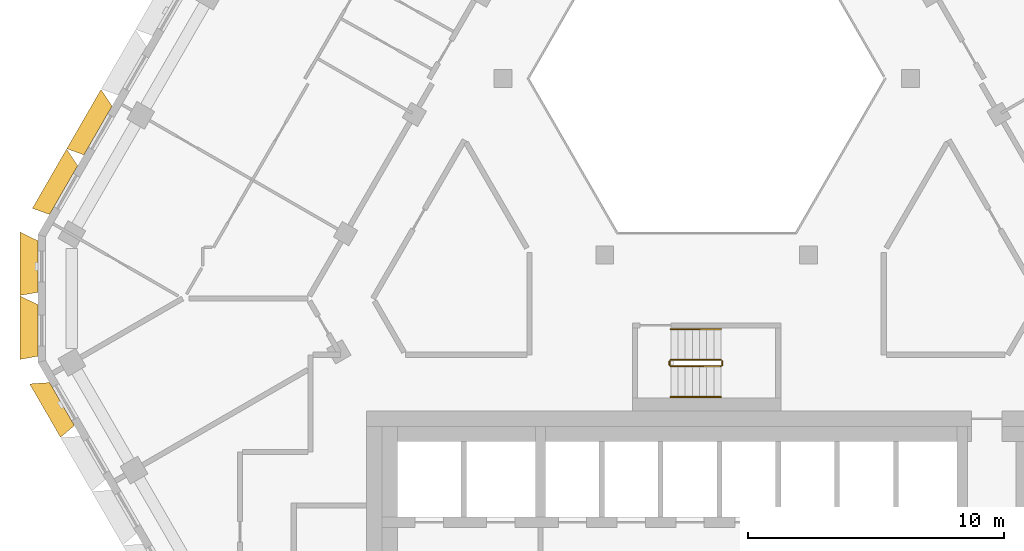
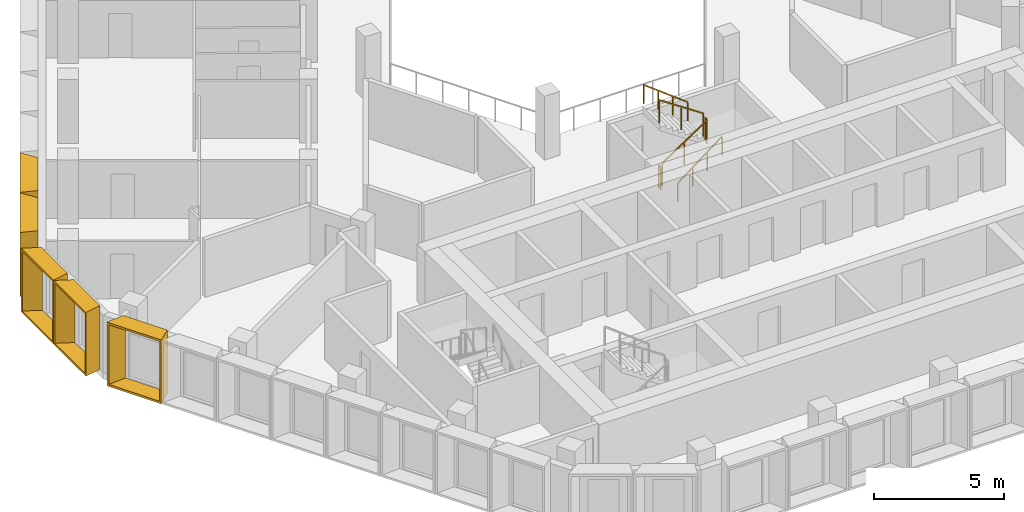
# One storey, part 14 of 17: 6 railings, 5 shading devices.
"""IFC4 building model written with IfcOpenShell, lengths in metres."""

from ifc_helpers import new_model, entity, si_unit, direction, frame, origin, origin_2d, place, context, subcontext, project, spatial, rectangle, extrude, source, transform, mapped, material, type_object, type_shapes, element, save


model = new_model("IFC4")

# Units and contexts
model_context = context("Model", 3, precision=1e-05, world=origin(), true_north=direction((0.0, 1.0)))
body_context = subcontext(model_context, "Body", "Model", "MODEL_VIEW")
ifc_project = project(units=[si_unit("LENGTHUNIT", "METRE"), si_unit("AREAUNIT", "SQUARE_METRE"), si_unit("VOLUMEUNIT", "CUBIC_METRE"), si_unit("PLANEANGLEUNIT", "RADIAN"), si_unit("MASSUNIT", "GRAM", prefix="KILO")], contexts=[model_context])

# Site, building, storey
site_placement = place(None, origin())
site = spatial("IfcSite", under=ifc_project, at=site_placement, CompositionType="ELEMENT")
building_placement = place(site_placement, origin())
building = spatial("IfcBuilding", under=site, at=building_placement, Name="Beryl Residences", CompositionType="ELEMENT")
storey_placement = place(building_placement, frame((0.0, 0.0, 178.199951171875)))
storey = spatial("IfcBuildingStorey", under=building, at=storey_placement, Name="L54", CompositionType="ELEMENT", Elevation=178.199951171875)

# Shading devices
ifc_material_1 = material(Name="Aluminium pale anodised", Category="aluminium")
shading_device_type_1 = type_object("IfcShadingDeviceType", Name="FR243-70B OUTER SKIN frame 700 mm deep, splay 26/10 deg, 2430 x 3000 mm cell", PredefinedType="USERDEFINED", material=ifc_material_1)
cartesian_point_1 = entity("IfcCartesianPoint", [-0.972412109375, 0.0])
cartesian_point_2 = entity("IfcCartesianPoint", [-0.883544921875, 0.10009765625])
cartesian_point_3 = entity("IfcCartesianPoint", [-1.31396484375, 0.0])
cartesian_point_4 = entity("IfcCartesianPoint", [-1.224853515625, 0.10009765625])
shared_shape_1 = source(origin(), body_context, "Body", "SweptSolid", [
    entity("IfcExtrudedAreaSolidTapered", entity("IfcArbitraryProfileDefWithVoids", "AREA", None, entity("IfcPolyline", [cartesian_point_1, entity("IfcCartesianPoint", [0.972412109375, 0.0]), entity("IfcCartesianPoint", [0.972412109375, 3.0]), entity("IfcCartesianPoint", [-0.972412109375, 3.0]), cartesian_point_1]), [entity("IfcPolyline", [cartesian_point_2, entity("IfcCartesianPoint", [0.891357421875, 0.10009765625]), entity("IfcCartesianPoint", [0.891357421875, 2.89990234375]), entity("IfcCartesianPoint", [-0.883544921875, 2.89990234375]), cartesian_point_2])]), entity("IfcAxis2Placement3D", entity("IfcCartesianPoint", [0.0, 0.0, 0.0]), entity("IfcDirection", [0.0, 1.0, 0.0]), entity("IfcDirection", [-1.0, 0.0, 0.0])), entity("IfcDirection", [0.0, 0.0, 1.0]), 0.699951171875, entity("IfcArbitraryProfileDefWithVoids", "AREA", None, entity("IfcPolyline", [cartesian_point_3, entity("IfcCartesianPoint", [1.095947265625, 0.0]), entity("IfcCartesianPoint", [1.095947265625, 3.0]), entity("IfcCartesianPoint", [-1.31396484375, 3.0]), cartesian_point_3]), [entity("IfcPolyline", [cartesian_point_4, entity("IfcCartesianPoint", [1.0146484375, 0.10009765625]), entity("IfcCartesianPoint", [1.0146484375, 2.89990234375]), entity("IfcCartesianPoint", [-1.224853515625, 2.89990234375]), cartesian_point_4])])),
])
type_shapes(shading_device_type_1, [shared_shape_1])
shading_device_placement = place(storey_placement, frame((-25.212890625, -4.72802734375, 0.0), z_axis=(0.0, 0.0, 1.0), x_axis=(-0.5, 0.866025403784, 0.0)))
element("IfcShadingDevice", 1, at=shading_device_placement, inside=storey, type_object=shading_device_type_1, Name="FR243-70B frame L54 SW 1", ObjectType="OUTER SKIN", PredefinedType="USERDEFINED", context=body_context, shape_type="MappedRepresentation", body=[
    mapped(shared_shape_1, transform((0.0, 0.0, 0.0))),
])
ifc_material_2 = material(Name="Aluminium pale anodised", Category="aluminium")
shading_device_type_2 = type_object("IfcShadingDeviceType", Name="FR250-70B OUTER SKIN frame 700 mm deep, splay 26/10 deg, 2500 x 3000 mm cell", PredefinedType="USERDEFINED", material=ifc_material_2)
cartesian_point_5 = entity("IfcCartesianPoint", [-1.007568359375, 0.0])
cartesian_point_6 = entity("IfcCartesianPoint", [-0.91845703125, 0.10009765625])
cartesian_point_7 = entity("IfcCartesianPoint", [-1.348876953125, 0.0])
cartesian_point_8 = entity("IfcCartesianPoint", [-1.260009765625, 0.10009765625])
shared_shape_2 = source(origin(), body_context, "Body", "SweptSolid", [
    entity("IfcExtrudedAreaSolidTapered", entity("IfcArbitraryProfileDefWithVoids", "AREA", None, entity("IfcPolyline", [cartesian_point_5, entity("IfcCartesianPoint", [1.007568359375, 0.0]), entity("IfcCartesianPoint", [1.007568359375, 3.0]), entity("IfcCartesianPoint", [-1.007568359375, 3.0]), cartesian_point_5]), [entity("IfcPolyline", [cartesian_point_6, entity("IfcCartesianPoint", [0.92626953125, 0.10009765625]), entity("IfcCartesianPoint", [0.92626953125, 2.89990234375]), entity("IfcCartesianPoint", [-0.91845703125, 2.89990234375]), cartesian_point_6])]), entity("IfcAxis2Placement3D", entity("IfcCartesianPoint", [0.0, 0.0, 0.0]), entity("IfcDirection", [0.0, 1.0, 0.0]), entity("IfcDirection", [-1.0, 0.0, 0.0])), entity("IfcDirection", [0.0, 0.0, 1.0]), 0.699951171875, entity("IfcArbitraryProfileDefWithVoids", "AREA", None, entity("IfcPolyline", [cartesian_point_7, entity("IfcCartesianPoint", [1.130859375, 0.0]), entity("IfcCartesianPoint", [1.130859375, 3.0]), entity("IfcCartesianPoint", [-1.348876953125, 3.0]), cartesian_point_7]), [entity("IfcPolyline", [cartesian_point_8, entity("IfcCartesianPoint", [1.0498046875, 0.10009765625]), entity("IfcCartesianPoint", [1.0498046875, 2.89990234375]), entity("IfcCartesianPoint", [-1.260009765625, 2.89990234375]), cartesian_point_8])])),
])
type_shapes(shading_device_type_2, [shared_shape_2])
for number, where, z_axis, x_axis, name in (
    (2, (-26.154052734375, 0.64990234375, 0.0), (0.0, 0.0, 1.0), (0.0, 1.0, 0.0), "FR250-70B frame L54 NW-SW 1"),
    (3, (-26.154052734375, -1.85009765625, 0.0), (0.0, 0.0, 1.0), (0.0, 1.0, 0.0), "FR250-70B frame L54 NW-SW 2"),
):
    element("IfcShadingDevice", number, at=place(storey_placement, frame(where, z_axis=z_axis, x_axis=x_axis)), inside=storey, type_object=shading_device_type_2, Name=name, ObjectType="OUTER SKIN", PredefinedType="USERDEFINED", context=body_context, shape_type="MappedRepresentation", body=[
        mapped(shared_shape_2, transform((0.0, 0.0, 0.0))),
    ])
ifc_material_3 = material(Name="Aluminium pale anodised", Category="aluminium")
shading_device_type_3 = type_object("IfcShadingDeviceType", Name="FR269-70B OUTER SKIN frame 700 mm deep, splay 26/10 deg, 2690 x 3000 mm cell", PredefinedType="USERDEFINED", material=ifc_material_3)
cartesian_point_9 = entity("IfcCartesianPoint", [-1.1025390625, 0.0])
cartesian_point_10 = entity("IfcCartesianPoint", [-1.013427734375, 0.10009765625])
cartesian_point_11 = entity("IfcCartesianPoint", [-1.44384765625, 0.0])
cartesian_point_12 = entity("IfcCartesianPoint", [-1.35498046875, 0.10009765625])
shared_shape_3 = source(origin(), body_context, "Body", "SweptSolid", [
    entity("IfcExtrudedAreaSolidTapered", entity("IfcArbitraryProfileDefWithVoids", "AREA", None, entity("IfcPolyline", [cartesian_point_9, entity("IfcCartesianPoint", [1.1025390625, 0.0]), entity("IfcCartesianPoint", [1.1025390625, 3.0]), entity("IfcCartesianPoint", [-1.1025390625, 3.0]), cartesian_point_9]), [entity("IfcPolyline", [cartesian_point_10, entity("IfcCartesianPoint", [1.021240234375, 0.10009765625]), entity("IfcCartesianPoint", [1.021240234375, 2.89990234375]), entity("IfcCartesianPoint", [-1.013427734375, 2.89990234375]), cartesian_point_10])]), entity("IfcAxis2Placement3D", entity("IfcCartesianPoint", [0.0, 0.0, 0.0]), entity("IfcDirection", [0.0, 1.0, 0.0]), entity("IfcDirection", [-1.0, 0.0, 0.0])), entity("IfcDirection", [0.0, 0.0, 1.0]), 0.699951171875, entity("IfcArbitraryProfileDefWithVoids", "AREA", None, entity("IfcPolyline", [cartesian_point_11, entity("IfcCartesianPoint", [1.225830078125, 0.0]), entity("IfcCartesianPoint", [1.225830078125, 3.0]), entity("IfcCartesianPoint", [-1.44384765625, 3.0]), cartesian_point_11]), [entity("IfcPolyline", [cartesian_point_12, entity("IfcCartesianPoint", [1.144775390625, 0.10009765625]), entity("IfcCartesianPoint", [1.144775390625, 2.89990234375]), entity("IfcCartesianPoint", [-1.35498046875, 2.89990234375]), cartesian_point_12])])),
])
type_shapes(shading_device_type_3, [shared_shape_3])
for number, where, z_axis, x_axis, name in (
    (4, (-23.802978515625, 5.971923828125, 0.0), (0.0, 0.0, 1.0), (0.5, 0.866025403784, 0.0), "FR269-70B frame L54 NW 7"),
    (5, (-25.14892578125, 3.639892578125, 0.0), (0.0, 0.0, 1.0), (0.5, 0.866025403784, 0.0), "FR269-70B frame L54 NW 8"),
):
    element("IfcShadingDevice", number, at=place(storey_placement, frame(where, z_axis=z_axis, x_axis=x_axis)), inside=storey, type_object=shading_device_type_3, Name=name, ObjectType="OUTER SKIN", PredefinedType="USERDEFINED", context=body_context, shape_type="MappedRepresentation", body=[
        mapped(shared_shape_3, transform((0.0, 0.0, 0.0))),
    ])

# Railings
ifc_material_4 = material(Name="Stainless steel balustrade with glass infill", Category="steel")
railing_type_1 = type_object("IfcRailingType", Name="SG1 stair guard 1100 mm", PredefinedType="GUARDRAIL", material=ifc_material_4)
railing_1_placement = place(storey_placement, frame((-1.39990234375, -3.25, 0.1875)))
element("IfcRailing", 6, at=railing_1_placement, inside=storey, type_object=railing_type_1, Name="L54 ST-4 stair guard 1", PredefinedType="GUARDRAIL", context=body_context, shape_type="SweptSolid", body=[
    extrude(rectangle(XDim=0.048095703125, YDim=0.048095703125, at=origin_2d()), frame((0.0, 0.0, 1.076171875), z_axis=(0.830902050051, 0.0, 0.556418712142), x_axis=(0.0, 1.0, 0.0)), (0.0, 0.0, 1.0), 2.35888671875),
    extrude(rectangle(XDim=0.0419921875, YDim=0.0419921875, at=origin_2d()), origin(), (0.0, 0.0, 1.0), 1.052001953125),
    extrude(rectangle(XDim=0.0419921875, YDim=0.0419921875, at=origin_2d()), frame((0.97998046875, 0.0, 0.65625)), (0.0, 0.0, 1.0), 1.052001953125),
    extrude(rectangle(XDim=0.0419921875, YDim=0.0419921875, at=origin_2d()), frame((1.9599609375, 0.0, 1.3125)), (0.0, 0.0, 1.0), 1.052001953125),
])
railing_2_placement = place(storey_placement, frame((0.610107421875, -3.199951171875, 1.5)))
element("IfcRailing", 7, at=railing_2_placement, inside=storey, type_object=railing_type_1, Name="L54 ST-4 stair guard 2", PredefinedType="GUARDRAIL", context=body_context, shape_type="SweptSolid", body=[
    extrude(rectangle(XDim=0.048095703125, YDim=0.048095703125, at=origin_2d()), frame((0.0, 0.0, 1.076171875), z_axis=(0.0, 1.0, 0.0), x_axis=(-1.0, 0.0, 0.0)), (0.0, 0.0, 1.0), 0.14990234375),
    extrude(rectangle(XDim=0.0419921875, YDim=0.0419921875, at=origin_2d()), origin(), (0.0, 0.0, 1.0), 1.052001953125),
    extrude(rectangle(XDim=0.0419921875, YDim=0.0419921875, at=origin_2d()), frame((0.0, 0.14990234375, 0.0)), (0.0, 0.0, 1.0), 1.052001953125),
])
railing_3_placement = place(storey_placement, frame((0.56005859375, -3.0, 1.6875)))
element("IfcRailing", 8, at=railing_3_placement, inside=storey, type_object=railing_type_1, Name="L54 ST-4 stair guard 3", PredefinedType="GUARDRAIL", context=body_context, shape_type="SweptSolid", body=[
    extrude(rectangle(XDim=0.048095703125, YDim=0.048095703125, at=origin_2d()), frame((0.0, 0.0, 1.076171875), z_axis=(-0.830902050051, 0.0, 0.556418712142), x_axis=(0.0, -1.0, 0.0)), (0.0, 0.0, 1.0), 2.35888671875),
    extrude(rectangle(XDim=0.0419921875, YDim=0.0419921875, at=origin_2d()), origin(), (0.0, 0.0, 1.0), 1.052001953125),
    extrude(rectangle(XDim=0.0419921875, YDim=0.0419921875, at=origin_2d()), frame((-0.97998046875, 0.0, 0.65625)), (0.0, 0.0, 1.0), 1.052001953125),
    extrude(rectangle(XDim=0.0419921875, YDim=0.0419921875, at=origin_2d()), frame((-1.9599609375, 0.0, 1.3125)), (0.0, 0.0, 1.0), 1.052001953125),
])
railing_4_placement = place(storey_placement, frame((-1.449951171875, -3.199951171875, 0.0)))
element("IfcRailing", 9, at=railing_4_placement, inside=storey, type_object=railing_type_1, Name="L54 ST-4 stair guard 4", PredefinedType="GUARDRAIL", context=body_context, shape_type="SweptSolid", body=[
    extrude(rectangle(XDim=0.048095703125, YDim=0.048095703125, at=origin_2d()), frame((0.0, 0.0, 1.076171875), z_axis=(0.0, 1.0, 0.0), x_axis=(-1.0, 0.0, 0.0)), (0.0, 0.0, 1.0), 0.14990234375),
    extrude(rectangle(XDim=0.0419921875, YDim=0.0419921875, at=origin_2d()), origin(), (0.0, 0.0, 1.0), 1.052001953125),
    extrude(rectangle(XDim=0.0419921875, YDim=0.0419921875, at=origin_2d()), frame((0.0, 0.14990234375, 0.0)), (0.0, 0.0, 1.0), 1.052001953125),
])
ifc_material_5 = material(Name="Stainless steel handrail", Category="steel")
railing_type_2 = type_object("IfcRailingType", Name="SRL1 stair handrail 900 mm", PredefinedType="HANDRAIL", material=ifc_material_5)
railing_5_placement = place(storey_placement, frame((-1.39990234375, -4.449951171875, 0.1875)))
element("IfcRailing", 10, at=railing_5_placement, inside=storey, type_object=railing_type_2, Name="L54 ST-4 stair handrail 1", PredefinedType="HANDRAIL", context=body_context, shape_type="SweptSolid", body=[
    extrude(rectangle(XDim=0.048095703125, YDim=0.048095703125, at=origin_2d()), frame((0.0, 0.0, 0.8759765625), z_axis=(0.794121922505, 0.0, 0.607758481798), x_axis=(0.0, 1.0, 0.0)), (0.0, 0.0, 1.0), 2.468017578125),
    extrude(rectangle(XDim=0.0419921875, YDim=0.0419921875, at=origin_2d()), origin(), (0.0, 0.0, 1.0), 0.851806640625),
    extrude(rectangle(XDim=0.0419921875, YDim=0.0419921875, at=origin_2d()), frame((0.6533203125, 0.0, 0.5)), (0.0, 0.0, 1.0), 0.851806640625),
    extrude(rectangle(XDim=0.0419921875, YDim=0.0419921875, at=origin_2d()), frame((1.306640625, 0.0, 1.0)), (0.0, 0.0, 1.0), 0.851806640625),
    extrude(rectangle(XDim=0.0419921875, YDim=0.0419921875, at=origin_2d()), frame((1.9599609375, 0.0, 1.5)), (0.0, 0.0, 1.0), 0.851806640625),
])
railing_6_placement = place(storey_placement, frame((0.56005859375, -1.800048828125, 1.6875)))
element("IfcRailing", 11, at=railing_6_placement, inside=storey, type_object=railing_type_2, Name="L54 ST-4 stair handrail 2", PredefinedType="HANDRAIL", context=body_context, shape_type="SweptSolid", body=[
    extrude(rectangle(XDim=0.048095703125, YDim=0.048095703125, at=origin_2d()), frame((0.0, 0.0, 0.8759765625), z_axis=(-0.794121922505, 0.0, 0.607758481798), x_axis=(0.0, -1.0, 0.0)), (0.0, 0.0, 1.0), 2.468017578125),
    extrude(rectangle(XDim=0.0419921875, YDim=0.0419921875, at=origin_2d()), origin(), (0.0, 0.0, 1.0), 0.851806640625),
    extrude(rectangle(XDim=0.0419921875, YDim=0.0419921875, at=origin_2d()), frame((-0.6533203125, 0.0, 0.5)), (0.0, 0.0, 1.0), 0.851806640625),
    extrude(rectangle(XDim=0.0419921875, YDim=0.0419921875, at=origin_2d()), frame((-1.306640625, 0.0, 1.0)), (0.0, 0.0, 1.0), 0.851806640625),
    extrude(rectangle(XDim=0.0419921875, YDim=0.0419921875, at=origin_2d()), frame((-1.9599609375, 0.0, 1.5)), (0.0, 0.0, 1.0), 0.851806640625),
])

save(model, "model.ifc")
